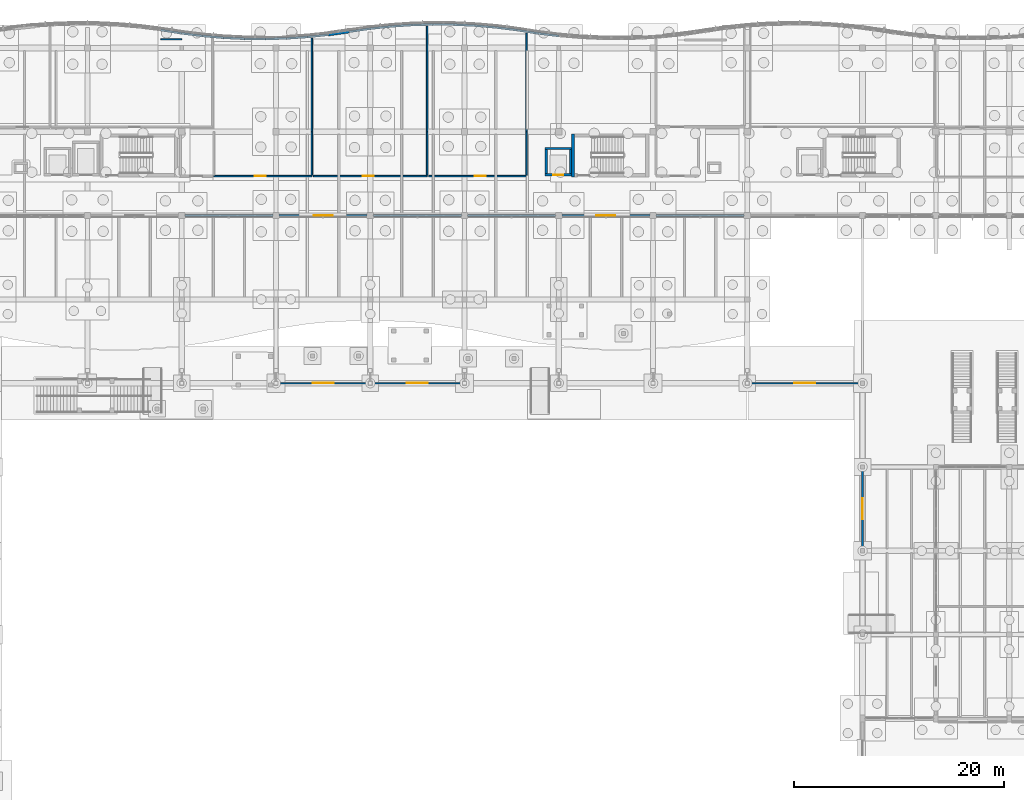
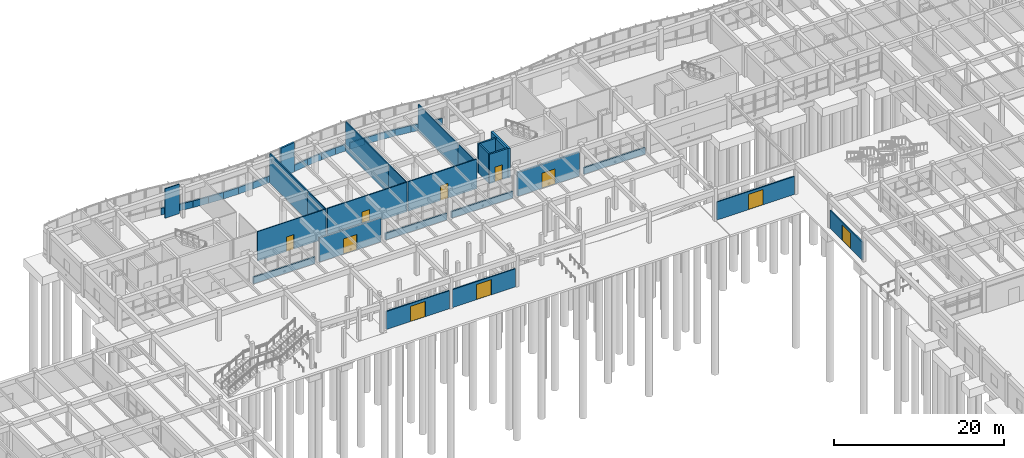
# One storey, part 66 of 99: 44 walls, 10 doors, 10 openings.
"""IFC4 building model written with IfcOpenShell, lengths in metres."""

from ifc_helpers import new_model, si_unit, direction, frame, frame_2d, origin, place, context, subcontext, project, spatial, rectangle, extrude, material, layer, layer_set, type_object, element, fill, save


model = new_model("IFC4")

# Units and contexts
model_context = context("Model", 3, precision=1e-05, world=origin(), true_north=direction((0.0, 1.0)))
body_context = subcontext(model_context, "Body", "Model", "MODEL_VIEW")
ifc_project = project(units=[si_unit("LENGTHUNIT", "METRE"), si_unit("AREAUNIT", "SQUARE_METRE"), si_unit("VOLUMEUNIT", "CUBIC_METRE"), si_unit("PLANEANGLEUNIT", "RADIAN"), si_unit("MASSUNIT", "GRAM", prefix="KILO")], contexts=[model_context])

# Site, building, storey
site_placement = place(None, origin())
site = spatial("IfcSite", under=ifc_project, at=site_placement, CompositionType="ELEMENT")
building_placement = place(site_placement, origin())
building = spatial("IfcBuilding", under=site, at=building_placement, Name="Tonlespit Floodbar School", CompositionType="ELEMENT")
storey_placement = place(building_placement, origin())
storey = spatial("IfcBuildingStorey", under=building, at=storey_placement, Name="L00", CompositionType="ELEMENT", Elevation=0.0)

# Walls
ifc_material_1 = material(Name="Concrete C40/50", Category="concrete")
ifc_layer_1 = layer(ifc_material_1, 0.300048828125)
ifc_layer_set_1 = layer_set([ifc_layer_1], Name="Concrete C40/50")
wall_type_1 = type_object("IfcWallType", Name="CoreWall_RC_300", PredefinedType="SHEAR", material=ifc_layer_set_1)
wall_1_placement = place(storey_placement, frame((99.35009765625, 107.699951171875, 0.0), z_axis=(0.0, 0.0, 1.0), x_axis=(0.0, 1.0, 0.0)))
element("IfcWall", 1, at=wall_1_placement, inside=storey, type_object=wall_type_1, Name="L00 core C2 shear wall NEAR", PredefinedType="SHEAR", context=body_context, shape_type="SweptSolid", body=[
    extrude(rectangle(XDim=4.10009765625, YDim=0.300048828125, at=frame_2d((2.050048828125, 0.0))), origin(), (0.0, 0.0, 1.0), 4.239990234375),
])
ifc_material_2 = material(Name="Precast concrete C40/50", Category="concrete")
ifc_layer_2 = layer(ifc_material_2, 0.239990234375)
ifc_layer_set_2 = layer_set([ifc_layer_2], Name="Precast concrete C40/50")
wall_type_2 = type_object("IfcWallType", Name="ExtWall_Rainscreen_240", PredefinedType="SOLIDWALL", material=ifc_layer_set_2)
wall_2_placement = place(storey_placement, frame((76.0, 121.25830078125, 0.0), z_axis=(0.0, 0.0, 1.0), x_axis=(0.989527230727, 0.144346318447, 0.0)))
element("IfcWall", 2, at=wall_2_placement, inside=storey, type_object=wall_type_2, Name="L00 external wall 0017", PredefinedType="SOLIDWALL", context=body_context, shape_type="SweptSolid", body=[
    extrude(rectangle(XDim=2.021240234375, YDim=0.239990234375, at=frame_2d((1.0107421875, 0.0))), origin(), (0.0, 0.0, 1.0), 4.239990234375),
])

# Wall, opening, door
wall_3_placement = place(storey_placement, frame((106.699951171875, 104.0, 0.0), z_axis=(0.0, 0.0, 1.0), x_axis=(-1.0, 0.0, 0.0)))
wall_3 = element("IfcWall", 3, at=wall_3_placement, inside=storey, type_object=wall_type_2, Name="L00 external wall 0038", PredefinedType="SOLIDWALL", context=body_context, shape_type="SweptSolid", body=[
    extrude(rectangle(XDim=8.39990234375, YDim=0.239990234375, at=frame_2d((4.199951171875, 0.0))), origin(), (0.0, 0.0, 1.0), 3.43994140625),
])
opening_1_placement = place(wall_3_placement, frame((3.300048828125, 0.0, 0.0)))
opening_1 = element("IfcOpeningElement", 4, at=opening_1_placement, cuts=wall_3, Name="Opening D-EX-001", PredefinedType="OPENING", context=body_context, shape_type="SweptSolid", body=[
    extrude(rectangle(XDim=1.800048828125, YDim=2.199951171875, at=frame_2d((0.89990234375, 1.10009765625))), frame((0.0, 0.1298828125, 0.0), z_axis=(0.0, -1.0, 0.0), x_axis=(1.0, 0.0, 0.0)), (0.0, 0.0, 1.0), 0.260009765625),
])
ifc_material_3 = material(Name="Anodised Aluminium", Category="aluminium")
door_type_1 = type_object("IfcDoorType", Name="ExtDoor_Exit_1800x2200", OperationType="NOTDEFINED", PredefinedType="DOOR", material=ifc_material_3)
door_1_placement = place(opening_1_placement, origin())
door_1 = element("IfcDoor", 5, at=door_1_placement, inside=storey, type_object=door_type_1, Name="Final exit door D-EX-001", OperationType="SINGLE_SWING_LEFT", OverallHeight=2.199951171875, OverallWidth=1.800048828125, PredefinedType="DOOR", context=body_context, shape_type="SweptSolid", body=[
    extrude(rectangle(XDim=1.800048828125, YDim=2.199951171875, at=frame_2d((0.89990234375, 1.10009765625))), frame((0.0, 0.02490234375, 0.0), z_axis=(0.0, -1.0, 0.0), x_axis=(1.0, 0.0, 0.0)), (0.0, 0.0, 1.0), 0.050048828125),
])
fill(opening_1, door_1)

wall_4_placement = place(storey_placement, frame((79.699951171875, 104.0, 0.0), z_axis=(0.0, 0.0, 1.0), x_axis=(-1.0, 0.0, 0.0)))
wall_4 = element("IfcWall", 6, at=wall_4_placement, inside=storey, type_object=wall_type_2, Name="L00 external wall 0041", PredefinedType="SOLIDWALL", context=body_context, shape_type="SweptSolid", body=[
    extrude(rectangle(XDim=8.39990234375, YDim=0.239990234375, at=frame_2d((4.199951171875, 0.0))), origin(), (0.0, 0.0, 1.0), 3.43994140625),
])
opening_2_placement = place(wall_4_placement, frame((3.300048828125, 0.0, 0.0)))
opening_2 = element("IfcOpeningElement", 7, at=opening_2_placement, cuts=wall_4, Name="Opening D-EX-002", PredefinedType="OPENING", context=body_context, shape_type="SweptSolid", body=[
    extrude(rectangle(XDim=1.800048828125, YDim=2.199951171875, at=frame_2d((0.89990234375, 1.10009765625))), frame((0.0, 0.1298828125, 0.0), z_axis=(0.0, -1.0, 0.0), x_axis=(1.0, 0.0, 0.0)), (0.0, 0.0, 1.0), 0.260009765625),
])
door_2_placement = place(opening_2_placement, origin())
door_2 = element("IfcDoor", 8, at=door_2_placement, inside=storey, type_object=door_type_1, Name="Final exit door D-EX-002", OperationType="SINGLE_SWING_RIGHT", OverallHeight=2.199951171875, OverallWidth=1.800048828125, PredefinedType="DOOR", context=body_context, shape_type="SweptSolid", body=[
    extrude(rectangle(XDim=1.800048828125, YDim=2.199951171875, at=frame_2d((0.89990234375, 1.10009765625))), frame((0.0, 0.02490234375, 0.0), z_axis=(0.0, -1.0, 0.0), x_axis=(1.0, 0.0, 0.0)), (0.0, 0.0, 1.0), 0.050048828125),
])
fill(opening_2, door_2)

ifc_layer_3 = layer(ifc_material_2, 0.1650390625)
ifc_layer_set_3 = layer_set([ifc_layer_3], Name="Precast concrete C40/50")
wall_type_3 = type_object("IfcWallType", Name="ExtWall_Screen_165", PredefinedType="SOLIDWALL", material=ifc_layer_set_3)
wall_5_placement = place(storey_placement, frame((71.199951171875, 88.0, 0.0), z_axis=(0.0, 0.0, 1.0), x_axis=(1.0, 0.0, 0.0)))
wall_5 = element("IfcWall", 9, at=wall_5_placement, inside=storey, type_object=wall_type_3, Name="L00 external wall 0759", PredefinedType="SOLIDWALL", context=body_context, shape_type="SweptSolid", body=[
    extrude(rectangle(XDim=8.60009765625, YDim=0.1650390625, at=frame_2d((4.300048828125, 0.0))), origin(), (0.0, 0.0, 1.0), 2.60009765625),
])
opening_3_placement = place(wall_5_placement, frame((3.300048828125, 0.0, 0.0)))
opening_3 = element("IfcOpeningElement", 10, at=opening_3_placement, cuts=wall_5, Name="Opening DG-44", PredefinedType="OPENING", context=body_context, shape_type="SweptSolid", body=[
    extrude(rectangle(XDim=2.0, YDim=2.199951171875, at=frame_2d((1.0, 1.10009765625))), frame((0.0, 0.092529296875, 0.0), z_axis=(0.0, -1.0, 0.0), x_axis=(1.0, 0.0, 0.0)), (0.0, 0.0, 1.0), 0.18505859375),
])
ifc_material_4 = material(Name="Galvanised Steel", Category="steel")
door_type_2 = type_object("IfcDoorType", Name="CourtGate_2000x2200", OperationType="DOUBLE_DOOR_SINGLE_SWING", PredefinedType="GATE", material=ifc_material_4)
door_3_placement = place(opening_3_placement, origin())
door_3 = element("IfcDoor", 11, at=door_3_placement, inside=storey, type_object=door_type_2, Name="L00 exterior door DG-44", OperationType="DOUBLE_DOOR_SINGLE_SWING", OverallHeight=2.199951171875, OverallWidth=2.0, PredefinedType="GATE", context=body_context, shape_type="SweptSolid", body=[
    extrude(rectangle(XDim=2.0, YDim=2.199951171875, at=frame_2d((1.0, 1.10009765625))), frame((0.0, 0.02490234375, 0.0), z_axis=(0.0, -1.0, 0.0), x_axis=(1.0, 0.0, 0.0)), (0.0, 0.0, 1.0), 0.050048828125),
])
fill(opening_3, door_3)

wall_6_placement = place(storey_placement, frame((80.199951171875, 88.0, 0.0), z_axis=(0.0, 0.0, 1.0), x_axis=(1.0, 0.0, 0.0)))
wall_6 = element("IfcWall", 12, at=wall_6_placement, inside=storey, type_object=wall_type_3, Name="L00 external wall 0760", PredefinedType="SOLIDWALL", context=body_context, shape_type="SweptSolid", body=[
    extrude(rectangle(XDim=8.60009765625, YDim=0.1650390625, at=frame_2d((4.300048828125, 0.0))), origin(), (0.0, 0.0, 1.0), 2.60009765625),
])
opening_4_placement = place(wall_6_placement, frame((3.300048828125, 0.0, 0.0)))
opening_4 = element("IfcOpeningElement", 13, at=opening_4_placement, cuts=wall_6, Name="Opening DG-45", PredefinedType="OPENING", context=body_context, shape_type="SweptSolid", body=[
    extrude(rectangle(XDim=2.0, YDim=2.199951171875, at=frame_2d((1.0, 1.10009765625))), frame((0.0, 0.092529296875, 0.0), z_axis=(0.0, -1.0, 0.0), x_axis=(1.0, 0.0, 0.0)), (0.0, 0.0, 1.0), 0.18505859375),
])
door_4_placement = place(opening_4_placement, origin())
door_4 = element("IfcDoor", 14, at=door_4_placement, inside=storey, type_object=door_type_2, Name="L00 exterior door DG-45", OperationType="DOUBLE_DOOR_SINGLE_SWING", OverallHeight=2.199951171875, OverallWidth=2.0, PredefinedType="GATE", context=body_context, shape_type="SweptSolid", body=[
    extrude(rectangle(XDim=2.0, YDim=2.199951171875, at=frame_2d((1.0, 1.10009765625))), frame((0.0, 0.02490234375, 0.0), z_axis=(0.0, -1.0, 0.0), x_axis=(1.0, 0.0, 0.0)), (0.0, 0.0, 1.0), 0.050048828125),
])
fill(opening_4, door_4)

wall_7_placement = place(storey_placement, frame((127.0, 72.199951171875, 0.0), z_axis=(0.0, 0.0, 1.0), x_axis=(0.0, 1.0, 0.0)))
wall_7 = element("IfcWall", 15, at=wall_7_placement, inside=storey, type_object=wall_type_3, Name="L00 external wall 0761", PredefinedType="SOLIDWALL", context=body_context, shape_type="SweptSolid", body=[
    extrude(rectangle(XDim=7.60009765625, YDim=0.1650390625, at=frame_2d((3.800048828125, 0.0))), origin(), (0.0, 0.0, 1.0), 2.60009765625),
])
opening_5_placement = place(wall_7_placement, frame((2.800048828125, 0.0, 0.0)))
opening_5 = element("IfcOpeningElement", 16, at=opening_5_placement, cuts=wall_7, Name="Opening DG-46", PredefinedType="OPENING", context=body_context, shape_type="SweptSolid", body=[
    extrude(rectangle(XDim=2.0, YDim=2.199951171875, at=frame_2d((1.0, 1.10009765625))), frame((0.0, 0.092529296875, 0.0), z_axis=(0.0, -1.0, 0.0), x_axis=(1.0, 0.0, 0.0)), (0.0, 0.0, 1.0), 0.18505859375),
])
door_5_placement = place(opening_5_placement, origin())
door_5 = element("IfcDoor", 17, at=door_5_placement, inside=storey, type_object=door_type_2, Name="L00 exterior door DG-46", OperationType="DOUBLE_DOOR_SINGLE_SWING", OverallHeight=2.199951171875, OverallWidth=2.0, PredefinedType="GATE", context=body_context, shape_type="SweptSolid", body=[
    extrude(rectangle(XDim=2.0, YDim=2.199951171875, at=frame_2d((1.0, 1.10009765625))), frame((0.0, 0.02490234375, 0.0), z_axis=(0.0, -1.0, 0.0), x_axis=(1.0, 0.0, 0.0)), (0.0, 0.0, 1.0), 0.050048828125),
])
fill(opening_5, door_5)

wall_8_placement = place(storey_placement, frame((116.199951171875, 88.0, 0.0), z_axis=(0.0, 0.0, 1.0), x_axis=(1.0, 0.0, 0.0)))
wall_8 = element("IfcWall", 18, at=wall_8_placement, inside=storey, type_object=wall_type_3, Name="L00 external wall 0762", PredefinedType="SOLIDWALL", context=body_context, shape_type="SweptSolid", body=[
    extrude(rectangle(XDim=10.60009765625, YDim=0.1650390625, at=frame_2d((5.300048828125, 0.0))), origin(), (0.0, 0.0, 1.0), 2.60009765625),
])
opening_6_placement = place(wall_8_placement, frame((4.300048828125, 0.0, 0.0)))
opening_6 = element("IfcOpeningElement", 19, at=opening_6_placement, cuts=wall_8, Name="Opening DG-47", PredefinedType="OPENING", context=body_context, shape_type="SweptSolid", body=[
    extrude(rectangle(XDim=2.0, YDim=2.199951171875, at=frame_2d((1.0, 1.10009765625))), frame((0.0, 0.092529296875, 0.0), z_axis=(0.0, -1.0, 0.0), x_axis=(1.0, 0.0, 0.0)), (0.0, 0.0, 1.0), 0.18505859375),
])
door_6_placement = place(opening_6_placement, origin())
door_6 = element("IfcDoor", 20, at=door_6_placement, inside=storey, type_object=door_type_2, Name="L00 exterior door DG-47", OperationType="DOUBLE_DOOR_SINGLE_SWING", OverallHeight=2.199951171875, OverallWidth=2.0, PredefinedType="GATE", context=body_context, shape_type="SweptSolid", body=[
    extrude(rectangle(XDim=2.0, YDim=2.199951171875, at=frame_2d((1.0, 1.10009765625))), frame((0.0, 0.02490234375, 0.0), z_axis=(0.0, -1.0, 0.0), x_axis=(1.0, 0.0, 0.0)), (0.0, 0.0, 1.0), 0.050048828125),
])
fill(opening_6, door_6)

# Walls
ifc_material_5 = material(Name="White Architectural Precast concrete C40/50", Category="concrete")
ifc_layer_4 = layer(ifc_material_5, 0.199951171875)
ifc_layer_set_4 = layer_set([ifc_layer_4], Name="White Architectural Precast concrete C40/50")
wall_type_4 = type_object("IfcWallType", Name="ExtWall_Spandrel_White_200", PredefinedType="SOLIDWALL", material=ifc_layer_set_4)
wall_9_placement = place(storey_placement, frame((60.0, 121.705810546875, 0.0), z_axis=(0.0, 0.0, 1.0), x_axis=(0.988085509852, -0.153905897287, 0.0)))
element("IfcWall", 21, at=wall_9_placement, inside=storey, type_object=wall_type_4, Name="L00 spandrel wall 0009", PredefinedType="SOLIDWALL", context=body_context, shape_type="SweptSolid", body=[
    extrude(rectangle(XDim=2.024169921875, YDim=0.199951171875, at=frame_2d((1.01220703125, 0.0))), origin(), (0.0, 0.0, 1.0), 0.949951171875),
])
wall_10_placement = place(storey_placement, frame((62.0, 121.394287109375, 0.0), z_axis=(0.0, 0.0, 1.0), x_axis=(0.992158168336, -0.124988675503, 0.0)))
element("IfcWall", 22, at=wall_10_placement, inside=storey, type_object=wall_type_4, Name="L00 spandrel wall 0010", PredefinedType="SOLIDWALL", context=body_context, shape_type="SweptSolid", body=[
    extrude(rectangle(XDim=2.015869140625, YDim=0.199951171875, at=frame_2d((1.0078125, 0.0))), origin(), (0.0, 0.0, 1.0), 0.949951171875),
])
wall_11_placement = place(storey_placement, frame((64.0, 121.142333984375, 0.0), z_axis=(0.0, 0.0, 1.0), x_axis=(0.996244237948, -0.086587633962, 0.0)))
element("IfcWall", 23, at=wall_11_placement, inside=storey, type_object=wall_type_4, Name="L00 spandrel wall 0011", PredefinedType="SOLIDWALL", context=body_context, shape_type="SweptSolid", body=[
    extrude(rectangle(XDim=2.007568359375, YDim=0.199951171875, at=frame_2d((1.00390625, 0.0))), origin(), (0.0, 0.0, 1.0), 0.949951171875),
])
wall_12_placement = place(storey_placement, frame((66.0, 120.968505859375, 0.0), z_axis=(0.0, 0.0, 1.0), x_axis=(0.99884540439, -0.048040172037, 0.0)))
element("IfcWall", 24, at=wall_12_placement, inside=storey, type_object=wall_type_4, Name="L00 spandrel wall 0012", PredefinedType="SOLIDWALL", context=body_context, shape_type="SweptSolid", body=[
    extrude(rectangle(XDim=2.002197265625, YDim=0.199951171875, at=frame_2d((1.0009765625, 0.0))), origin(), (0.0, 0.0, 1.0), 0.949951171875),
])
wall_13_placement = place(storey_placement, frame((68.0, 120.872314453125, 0.0), z_axis=(0.0, 0.0, 1.0), x_axis=(0.999953504169, -0.009643106302, 0.0)))
element("IfcWall", 25, at=wall_13_placement, inside=storey, type_object=wall_type_4, Name="L00 spandrel wall 0013", PredefinedType="SOLIDWALL", context=body_context, shape_type="SweptSolid", body=[
    extrude(rectangle(XDim=2.0, YDim=0.199951171875, at=frame_2d((1.0, 0.0))), origin(), (0.0, 0.0, 1.0), 0.949951171875),
])
wall_14_placement = place(storey_placement, frame((70.0, 120.85302734375, 0.0), z_axis=(0.0, 0.0, 1.0), x_axis=(0.999585290582, 0.028796646555, 0.0)))
element("IfcWall", 26, at=wall_14_placement, inside=storey, type_object=wall_type_4, Name="L00 spandrel wall 0014", PredefinedType="SOLIDWALL", context=body_context, shape_type="SweptSolid", body=[
    extrude(rectangle(XDim=2.000732421875, YDim=0.199951171875, at=frame_2d((1.00048828125, 0.0))), origin(), (0.0, 0.0, 1.0), 0.949951171875),
])
wall_15_placement = place(storey_placement, frame((72.0, 120.91064453125, 0.0), z_axis=(0.0, 0.0, 1.0), x_axis=(0.997729302978, 0.067351599676, 0.0)))
element("IfcWall", 27, at=wall_15_placement, inside=storey, type_object=wall_type_4, Name="L00 spandrel wall 0015", PredefinedType="SOLIDWALL", context=body_context, shape_type="SweptSolid", body=[
    extrude(rectangle(XDim=2.004638671875, YDim=0.199951171875, at=frame_2d((1.00244140625, 0.0))), origin(), (0.0, 0.0, 1.0), 0.949951171875),
])
wall_16_placement = place(storey_placement, frame((74.0, 121.045654296875, 0.0), z_axis=(0.0, 0.0, 1.0), x_axis=(0.994395160059, 0.105727317433, 0.0)))
element("IfcWall", 28, at=wall_16_placement, inside=storey, type_object=wall_type_4, Name="L00 spandrel wall 0016", PredefinedType="SOLIDWALL", context=body_context, shape_type="SweptSolid", body=[
    extrude(rectangle(XDim=2.01123046875, YDim=0.199951171875, at=frame_2d((1.005615234375, 0.0))), origin(), (0.0, 0.0, 1.0), 0.949951171875),
])
wall_17_placement = place(storey_placement, frame((78.0, 121.550048828125, 0.0), z_axis=(0.0, 0.0, 1.0), x_axis=(0.989544477223, 0.144228040259, 0.0)))
element("IfcWall", 29, at=wall_17_placement, inside=storey, type_object=wall_type_4, Name="L00 spandrel wall 0018", PredefinedType="SOLIDWALL", context=body_context, shape_type="SweptSolid", body=[
    extrude(rectangle(XDim=2.021240234375, YDim=0.199951171875, at=frame_2d((1.0107421875, 0.0))), origin(), (0.0, 0.0, 1.0), 0.949951171875),
])
wall_18_placement = place(storey_placement, frame((80.0, 121.841552734375, 0.0), z_axis=(0.0, 0.0, 1.0), x_axis=(0.994395160059, 0.105727317433, 0.0)))
element("IfcWall", 30, at=wall_18_placement, inside=storey, type_object=wall_type_4, Name="L00 spandrel wall 0019", PredefinedType="SOLIDWALL", context=body_context, shape_type="SweptSolid", body=[
    extrude(rectangle(XDim=2.01123046875, YDim=0.199951171875, at=frame_2d((1.005615234375, 0.0))), origin(), (0.0, 0.0, 1.0), 0.949951171875),
])
wall_19_placement = place(storey_placement, frame((82.0, 122.05419921875, 0.0), z_axis=(0.0, 0.0, 1.0), x_axis=(0.997729302978, 0.067351599676, 0.0)))
element("IfcWall", 31, at=wall_19_placement, inside=storey, type_object=wall_type_4, Name="L00 spandrel wall 0020", PredefinedType="SOLIDWALL", context=body_context, shape_type="SweptSolid", body=[
    extrude(rectangle(XDim=2.004638671875, YDim=0.199951171875, at=frame_2d((1.00244140625, 0.0))), origin(), (0.0, 0.0, 1.0), 0.949951171875),
])
wall_20_placement = place(storey_placement, frame((84.0, 122.189208984375, 0.0), z_axis=(0.0, 0.0, 1.0), x_axis=(0.999581770858, 0.028918564416, 0.0)))
element("IfcWall", 32, at=wall_20_placement, inside=storey, type_object=wall_type_4, Name="L00 spandrel wall 0021", PredefinedType="SOLIDWALL", context=body_context, shape_type="SweptSolid", body=[
    extrude(rectangle(XDim=2.000732421875, YDim=0.199951171875, at=frame_2d((1.00048828125, 0.0))), origin(), (0.0, 0.0, 1.0), 0.949951171875),
])
wall_21_placement = place(storey_placement, frame((86.0, 122.2470703125, 0.0), z_axis=(0.0, 0.0, 1.0), x_axis=(0.999953504169, -0.009643106302, 0.0)))
element("IfcWall", 33, at=wall_21_placement, inside=storey, type_object=wall_type_4, Name="L00 spandrel wall 0022", PredefinedType="SOLIDWALL", context=body_context, shape_type="SweptSolid", body=[
    extrude(rectangle(XDim=2.0, YDim=0.199951171875, at=frame_2d((1.0, 0.0))), origin(), (0.0, 0.0, 1.0), 0.949951171875),
])
wall_22_placement = place(storey_placement, frame((88.0, 122.227783203125, 0.0), z_axis=(0.0, 0.0, 1.0), x_axis=(0.99884540439, -0.048040172037, 0.0)))
element("IfcWall", 34, at=wall_22_placement, inside=storey, type_object=wall_type_4, Name="L00 spandrel wall 0023", PredefinedType="SOLIDWALL", context=body_context, shape_type="SweptSolid", body=[
    extrude(rectangle(XDim=2.002197265625, YDim=0.199951171875, at=frame_2d((1.0009765625, 0.0))), origin(), (0.0, 0.0, 1.0), 0.949951171875),
])
wall_23_placement = place(storey_placement, frame((90.0, 122.131591796875, 0.0), z_axis=(0.0, 0.0, 1.0), x_axis=(0.996244237948, -0.086587633962, 0.0)))
element("IfcWall", 35, at=wall_23_placement, inside=storey, type_object=wall_type_4, Name="L00 spandrel wall 0024", PredefinedType="SOLIDWALL", context=body_context, shape_type="SweptSolid", body=[
    extrude(rectangle(XDim=2.007568359375, YDim=0.199951171875, at=frame_2d((1.00390625, 0.0))), origin(), (0.0, 0.0, 1.0), 0.949951171875),
])
wall_24_placement = place(storey_placement, frame((92.0, 121.957763671875, 0.0), z_axis=(0.0, 0.0, 1.0), x_axis=(0.992158168336, -0.124988675503, 0.0)))
element("IfcWall", 36, at=wall_24_placement, inside=storey, type_object=wall_type_4, Name="L00 spandrel wall 0025", PredefinedType="SOLIDWALL", context=body_context, shape_type="SweptSolid", body=[
    extrude(rectangle(XDim=2.015869140625, YDim=0.199951171875, at=frame_2d((1.0078125, 0.0))), origin(), (0.0, 0.0, 1.0), 0.949951171875),
])
wall_25_placement = place(storey_placement, frame((94.0, 121.705810546875, 0.0), z_axis=(0.0, 0.0, 1.0), x_axis=(0.988085509852, -0.153905897287, 0.0)))
element("IfcWall", 37, at=wall_25_placement, inside=storey, type_object=wall_type_4, Name="L00 spandrel wall 0026", PredefinedType="SOLIDWALL", context=body_context, shape_type="SweptSolid", body=[
    extrude(rectangle(XDim=2.024169921875, YDim=0.199951171875, at=frame_2d((1.01220703125, 0.0))), origin(), (0.0, 0.0, 1.0), 0.949951171875),
])
wall_26_placement = place(storey_placement, frame((96.0, 121.394287109375, 0.0), z_axis=(0.0, 0.0, 1.0), x_axis=(0.992158168336, -0.124988675503, 0.0)))
element("IfcWall", 38, at=wall_26_placement, inside=storey, type_object=wall_type_4, Name="L00 spandrel wall 0027", PredefinedType="SOLIDWALL", context=body_context, shape_type="SweptSolid", body=[
    extrude(rectangle(XDim=2.015869140625, YDim=0.199951171875, at=frame_2d((1.0078125, 0.0))), origin(), (0.0, 0.0, 1.0), 0.949951171875),
])
for number, where, z_axis, x_axis, name in (
    (39, (115.699951171875, 104.0, 0.0), (0.0, 0.0, 1.0), (-1.0, 0.0, 0.0), "L00 spandrel wall 0037"),
    (40, (97.699951171875, 104.0, 0.0), (0.0, 0.0, 1.0), (-1.0, 0.0, 0.0), "L00 spandrel wall 0039"),
    (41, (88.699951171875, 104.0, 0.0), (0.0, 0.0, 1.0), (-1.0, 0.0, 0.0), "L00 spandrel wall 0040"),
    (42, (70.699951171875, 104.0, 0.0), (0.0, 0.0, 1.0), (-1.0, 0.0, 0.0), "L00 spandrel wall 0042"),
):
    element("IfcWall", number, at=place(storey_placement, frame(where, z_axis=z_axis, x_axis=x_axis)), inside=storey, type_object=wall_type_4, Name=name, PredefinedType="SOLIDWALL", context=body_context, shape_type="SweptSolid", body=[
        extrude(rectangle(XDim=8.39990234375, YDim=0.199951171875, at=frame_2d((4.199951171875, 0.0))), origin(), (0.0, 0.0, 1.0), 0.949951171875),
    ])
ifc_material_6 = material(Name="Gypsum Plasterboard Partition")
ifc_layer_5 = layer(ifc_material_6, 0.1201171875)
ifc_layer_set_5 = layer_set([ifc_layer_5], Name="Gypsum Plasterboard Partition")
wall_type_5 = type_object("IfcWallType", Name="Partition_Gyp_120", PredefinedType="PARTITIONING", material=ifc_layer_set_5)
wall_27_placement = place(storey_placement, frame((60.02001953125, 120.8359375, 0.0), z_axis=(0.0, 0.0, 1.0), x_axis=(1.0, 0.0, 0.0)))
element("IfcWall", 43, at=wall_27_placement, inside=storey, type_object=wall_type_5, Name="L00 partition wall 0012", PredefinedType="PARTITIONING", context=body_context, shape_type="SweptSolid", body=[
    extrude(rectangle(XDim=1.97998046875, YDim=0.1201171875, at=frame_2d((0.989990234375, 0.0))), origin(), (0.0, 0.0, 1.0), 4.239990234375),
])

# Wall, opening, door
ifc_layer_6 = layer(ifc_material_6, 0.1298828125)
ifc_layer_set_6 = layer_set([ifc_layer_6], Name="Gypsum Plasterboard Partition")
wall_type_6 = type_object("IfcWallType", Name="Partition_Gyp_130", PredefinedType="PARTITIONING", material=ifc_layer_set_6)
wall_28_placement = place(storey_placement, frame((65.070068359375, 107.77001953125, 0.0), z_axis=(0.0, 0.0, 1.0), x_axis=(1.0, 0.0, 0.0)))
wall_28 = element("IfcWall", 44, at=wall_28_placement, inside=storey, type_object=wall_type_6, Name="L00 partition wall 0014", PredefinedType="PARTITIONING", context=body_context, shape_type="SweptSolid", body=[
    extrude(rectangle(XDim=9.35986328125, YDim=0.1298828125, at=frame_2d((4.679931640625, 0.0))), origin(), (0.0, 0.0, 1.0), 4.239990234375),
])
opening_7_placement = place(wall_28_placement, frame((3.919921875, 0.0, 0.0)))
opening_7 = element("IfcOpeningElement", 45, at=opening_7_placement, cuts=wall_28, Name="Opening D-L00-004", PredefinedType="OPENING", context=body_context, shape_type="SweptSolid", body=[
    extrude(rectangle(XDim=1.02001953125, YDim=2.10009765625, at=frame_2d((0.510009765625, 1.050048828125))), frame((0.0, 0.074951171875, 0.0), z_axis=(0.0, -1.0, 0.0), x_axis=(1.0, 0.0, 0.0)), (0.0, 0.0, 1.0), 0.14990234375),
])
ifc_material_7 = material(Name="Hardwood Timber", Category="wood")
door_type_3 = type_object("IfcDoorType", Name="IntDoor_1020x2100", OperationType="NOTDEFINED", PredefinedType="DOOR", material=ifc_material_7)
door_7_placement = place(opening_7_placement, origin())
door_7 = element("IfcDoor", 46, at=door_7_placement, inside=storey, type_object=door_type_3, Name="L00 interior door D-L00-004", OperationType="SINGLE_SWING_LEFT", OverallHeight=2.10009765625, OverallWidth=1.02001953125, PredefinedType="DOOR", context=body_context, shape_type="SweptSolid", body=[
    extrude(rectangle(XDim=1.02001953125, YDim=2.10009765625, at=frame_2d((0.510009765625, 1.050048828125))), frame((0.0, 0.02490234375, 0.0), z_axis=(0.0, -1.0, 0.0), x_axis=(1.0, 0.0, 0.0)), (0.0, 0.0, 1.0), 0.050048828125),
])
fill(opening_7, door_7)

# Walls
wall_29_placement = place(storey_placement, frame((74.429931640625, 107.85009765625, 0.0), z_axis=(0.0, 0.0, 1.0), x_axis=(0.0, 1.0, 0.0)))
element("IfcWall", 47, at=wall_29_placement, inside=storey, type_object=wall_type_6, Name="L00 partition wall 0016", PredefinedType="PARTITIONING", context=body_context, shape_type="SweptSolid", body=[
    extrude(rectangle(XDim=4.14990234375, YDim=0.1298828125, at=frame_2d((2.074951171875, 0.0))), origin(), (0.0, 0.0, 1.0), 4.239990234375),
])
wall_30_placement = place(storey_placement, frame((74.429931640625, 112.0, 0.0), z_axis=(0.0, 0.0, 1.0), x_axis=(0.0, 1.0, 0.0)))
element("IfcWall", 48, at=wall_30_placement, inside=storey, type_object=wall_type_6, Name="L00 partition wall 0017", PredefinedType="PARTITIONING", context=body_context, shape_type="SweptSolid", body=[
    extrude(rectangle(XDim=8.949462890625, YDim=0.1298828125, at=frame_2d((4.474609375, 0.0))), origin(), (0.0, 0.0, 1.0), 4.239990234375),
])

# Wall, opening, door
ifc_layer_7 = layer(ifc_material_6, 0.139892578125)
ifc_layer_set_7 = layer_set([ifc_layer_7], Name="Gypsum Plasterboard Partition")
wall_type_7 = type_object("IfcWallType", Name="Partition_Gyp_140", PredefinedType="PARTITIONING", material=ifc_layer_set_7)
wall_31_placement = place(storey_placement, frame((74.570068359375, 107.77001953125, 0.0), z_axis=(0.0, 0.0, 1.0), x_axis=(1.0, 0.0, 0.0)))
wall_31 = element("IfcWall", 49, at=wall_31_placement, inside=storey, type_object=wall_type_7, Name="L00 partition wall 0018", PredefinedType="PARTITIONING", context=body_context, shape_type="SweptSolid", body=[
    extrude(rectangle(XDim=10.85986328125, YDim=0.139892578125, at=frame_2d((5.429931640625, 0.0))), origin(), (0.0, 0.0, 1.0), 4.239990234375),
])
opening_8_placement = place(wall_31_placement, frame((4.705078125, 0.0, 0.0)))
opening_8 = element("IfcOpeningElement", 50, at=opening_8_placement, cuts=wall_31, Name="Opening D-L00-005", PredefinedType="OPENING", context=body_context, shape_type="SweptSolid", body=[
    extrude(rectangle(XDim=1.050048828125, YDim=2.10009765625, at=frame_2d((0.52490234375, 1.050048828125))), frame((0.0, 0.079833984375, 0.0), z_axis=(0.0, -1.0, 0.0), x_axis=(1.0, 0.0, 0.0)), (0.0, 0.0, 1.0), 0.159912109375),
])
door_type_4 = type_object("IfcDoorType", Name="IntDoor_1050x2100", OperationType="NOTDEFINED", PredefinedType="DOOR", material=ifc_material_7)
door_8_placement = place(opening_8_placement, origin())
door_8 = element("IfcDoor", 51, at=door_8_placement, inside=storey, type_object=door_type_4, Name="L00 interior door D-L00-005", OperationType="SINGLE_SWING_RIGHT", OverallHeight=2.10009765625, OverallWidth=1.050048828125, PredefinedType="DOOR", context=body_context, shape_type="SweptSolid", body=[
    extrude(rectangle(XDim=1.050048828125, YDim=2.10009765625, at=frame_2d((0.52490234375, 1.050048828125))), frame((0.0, 0.02490234375, 0.0), z_axis=(0.0, -1.0, 0.0), x_axis=(1.0, 0.0, 0.0)), (0.0, 0.0, 1.0), 0.050048828125),
])
fill(opening_8, door_8)

# Walls
wall_32_placement = place(storey_placement, frame((85.429931640625, 107.85498046875, 0.0), z_axis=(0.0, 0.0, 1.0), x_axis=(0.0, 1.0, 0.0)))
element("IfcWall", 52, at=wall_32_placement, inside=storey, type_object=wall_type_7, Name="L00 partition wall 0019", PredefinedType="PARTITIONING", context=body_context, shape_type="SweptSolid", body=[
    extrude(rectangle(XDim=4.14501953125, YDim=0.139892578125, at=frame_2d((2.072509765625, 0.0))), origin(), (0.0, 0.0, 1.0), 4.239990234375),
])
wall_33_placement = place(storey_placement, frame((85.429931640625, 112.0, 0.0), z_axis=(0.0, 0.0, 1.0), x_axis=(0.0, 1.0, 0.0)))
element("IfcWall", 53, at=wall_33_placement, inside=storey, type_object=wall_type_7, Name="L00 partition wall 0020", PredefinedType="PARTITIONING", context=body_context, shape_type="SweptSolid", body=[
    extrude(rectangle(XDim=10.088623046875, YDim=0.139892578125, at=frame_2d((5.04443359375, 0.0))), origin(), (0.0, 0.0, 1.0), 4.239990234375),
])

# Wall, opening, door
ifc_layer_8 = layer(ifc_material_6, 0.14990234375)
ifc_layer_set_8 = layer_set([ifc_layer_8], Name="Gypsum Plasterboard Partition")
wall_type_8 = type_object("IfcWallType", Name="Partition_Gyp_150", PredefinedType="PARTITIONING", material=ifc_layer_set_8)
wall_34_placement = place(storey_placement, frame((85.570068359375, 107.77001953125, 0.0), z_axis=(0.0, 0.0, 1.0), x_axis=(1.0, 0.0, 0.0)))
wall_34 = element("IfcWall", 54, at=wall_34_placement, inside=storey, type_object=wall_type_8, Name="L00 partition wall 0021", PredefinedType="PARTITIONING", context=body_context, shape_type="SweptSolid", body=[
    extrude(rectangle(XDim=9.35986328125, YDim=0.14990234375, at=frame_2d((4.679931640625, 0.0))), origin(), (0.0, 0.0, 1.0), 4.239990234375),
])
opening_9_placement = place(wall_34_placement, frame((4.389892578125, 0.0, 0.0)))
opening_9 = element("IfcOpeningElement", 55, at=opening_9_placement, cuts=wall_34, Name="Opening D-L00-006", PredefinedType="OPENING", context=body_context, shape_type="SweptSolid", body=[
    extrude(rectangle(XDim=1.080078125, YDim=2.14990234375, at=frame_2d((0.5400390625, 1.074951171875))), frame((0.0, 0.0849609375, 0.0), z_axis=(0.0, -1.0, 0.0), x_axis=(1.0, 0.0, 0.0)), (0.0, 0.0, 1.0), 0.169921875),
])
door_type_5 = type_object("IfcDoorType", Name="IntDoor_1080x2150", OperationType="NOTDEFINED", PredefinedType="DOOR", material=ifc_material_7)
door_9_placement = place(opening_9_placement, origin())
door_9 = element("IfcDoor", 56, at=door_9_placement, inside=storey, type_object=door_type_5, Name="L00 interior door D-L00-006", OperationType="SINGLE_SWING_LEFT", OverallHeight=2.14990234375, OverallWidth=1.080078125, PredefinedType="DOOR", context=body_context, shape_type="SweptSolid", body=[
    extrude(rectangle(XDim=1.080078125, YDim=2.14990234375, at=frame_2d((0.5400390625, 1.074951171875))), frame((0.0, 0.02490234375, 0.0), z_axis=(0.0, -1.0, 0.0), x_axis=(1.0, 0.0, 0.0)), (0.0, 0.0, 1.0), 0.050048828125),
])
fill(opening_9, door_9)

# Walls
wall_35_placement = place(storey_placement, frame((94.929931640625, 107.860107421875, 0.0), z_axis=(0.0, 0.0, 1.0), x_axis=(0.0, 1.0, 0.0)))
element("IfcWall", 57, at=wall_35_placement, inside=storey, type_object=wall_type_8, Name="L00 partition wall 0022", PredefinedType="PARTITIONING", context=body_context, shape_type="SweptSolid", body=[
    extrude(rectangle(XDim=4.139892578125, YDim=0.14990234375, at=frame_2d((2.06982421875, 0.0))), origin(), (0.0, 0.0, 1.0), 3.840087890625),
])
wall_36_placement = place(storey_placement, frame((94.929931640625, 112.0, 0.0), z_axis=(0.0, 0.0, 1.0), x_axis=(0.0, 1.0, 0.0)))
element("IfcWall", 58, at=wall_36_placement, inside=storey, type_object=wall_type_8, Name="L00 partition wall 0023", PredefinedType="PARTITIONING", context=body_context, shape_type="SweptSolid", body=[
    extrude(rectangle(XDim=9.4189453125, YDim=0.14990234375, at=frame_2d((4.70947265625, 0.0))), origin(), (0.0, 0.0, 1.0), 3.840087890625),
])

# Wall, opening, door
ifc_layer_9 = layer(ifc_material_1, 0.219970703125)
ifc_layer_set_9 = layer_set([ifc_layer_9], Name="Concrete C40/50")
wall_type_9 = type_object("IfcWallType", Name="ShaftWall_RC_220", PredefinedType="SHEAR", material=ifc_layer_set_9)
wall_37_placement = place(storey_placement, frame((99.219970703125, 107.889892578125, 0.0), z_axis=(0.0, 0.0, 1.0), x_axis=(-1.0, 0.0, 0.0)))
wall_37 = element("IfcWall", 59, at=wall_37_placement, inside=storey, type_object=wall_type_9, Name="L00 lift LP-2 shaft wall S", PredefinedType="SHEAR", context=body_context, shape_type="SweptSolid", body=[
    extrude(rectangle(XDim=2.5400390625, YDim=0.219970703125, at=frame_2d((1.27001953125, 0.0))), origin(), (0.0, 0.0, 1.0), 4.239990234375),
])
opening_10_placement = place(wall_37_placement, frame((0.77001953125, 0.0, 0.0)))
opening_10 = element("IfcOpeningElement", 60, at=opening_10_placement, cuts=wall_37, Name="Opening LD-LP-2-L00", PredefinedType="OPENING", context=body_context, shape_type="SweptSolid", body=[
    extrude(rectangle(XDim=1.0, YDim=2.14990234375, at=frame_2d((0.5, 1.074951171875))), frame((0.0, 0.119873046875, 0.0), z_axis=(0.0, -1.0, 0.0), x_axis=(1.0, 0.0, 0.0)), (0.0, 0.0, 1.0), 0.239990234375),
])
door_type_6 = type_object("IfcDoorType", Name="LiftDoor_Pass_1000x2150", OperationType="DOUBLE_DOOR_SLIDING", PredefinedType="DOOR", material=ifc_material_3)
door_10_placement = place(opening_10_placement, origin())
door_10 = element("IfcDoor", 61, at=door_10_placement, inside=storey, type_object=door_type_6, Name="L00 lift LP-2 sliding landing door", OperationType="DOUBLE_DOOR_SLIDING", OverallHeight=2.14990234375, OverallWidth=1.0, PredefinedType="DOOR", context=body_context, shape_type="SweptSolid", body=[
    extrude(rectangle(XDim=1.0, YDim=2.14990234375, at=frame_2d((0.5, 1.074951171875))), frame((0.0, 0.02490234375, 0.0), z_axis=(0.0, -1.0, 0.0), x_axis=(1.0, 0.0, 0.0)), (0.0, 0.0, 1.0), 0.050048828125),
])
fill(opening_10, door_10)

# Walls
wall_38_placement = place(storey_placement, frame((96.679931640625, 110.409912109375, 0.0), z_axis=(0.0, 0.0, 1.0), x_axis=(1.0, 0.0, 0.0)))
element("IfcWall", 62, at=wall_38_placement, inside=storey, type_object=wall_type_9, Name="L00 lift LP-2 shaft wall N", PredefinedType="SHEAR", context=body_context, shape_type="SweptSolid", body=[
    extrude(rectangle(XDim=2.5400390625, YDim=0.219970703125, at=frame_2d((1.27001953125, 0.0))), origin(), (0.0, 0.0, 1.0), 4.239990234375),
])
for number, where, z_axis, x_axis, name in (
    (63, (96.7900390625, 108.0, 0.0), (0.0, 0.0, 1.0), (0.0, 1.0, 0.0), "L00 lift LP-2 shaft wall W"),
    (64, (99.110107421875, 110.300048828125, 0.0), (0.0, 0.0, 1.0), (0.0, -1.0, 0.0), "L00 lift LP-2 shaft wall E"),
):
    element("IfcWall", number, at=place(storey_placement, frame(where, z_axis=z_axis, x_axis=x_axis)), inside=storey, type_object=wall_type_9, Name=name, PredefinedType="SHEAR", context=body_context, shape_type="SweptSolid", body=[
        extrude(rectangle(XDim=2.300048828125, YDim=0.219970703125, at=frame_2d((1.14990234375, 0.0))), origin(), (0.0, 0.0, 1.0), 4.239990234375),
    ])

save(model, "model.ifc")
